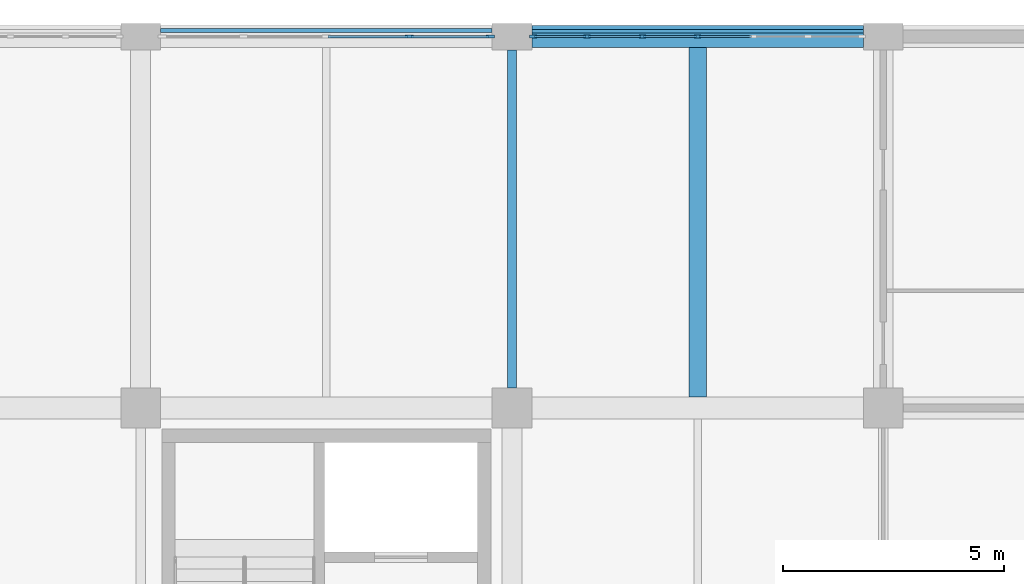
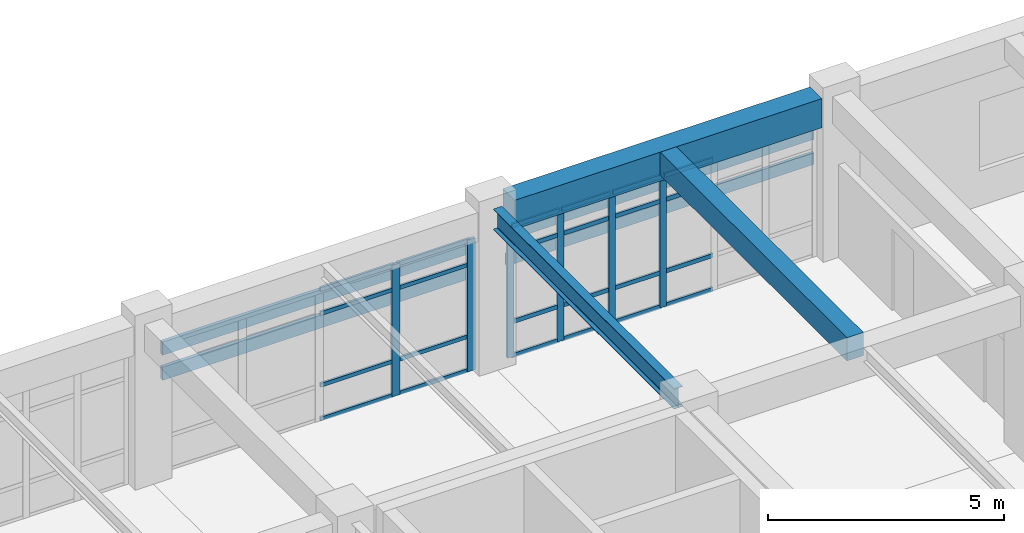
# One storey, part 32 of 99: 34 members, 3 beams, 2 elements without a shape of their own.
"""IFC4 building model written with IfcOpenShell, lengths in metres."""

import ifcopenshell
import ifcopenshell.guid

model = None  # the IFC model being written
_history = None  # IfcOwnerHistory: only IFC2X3 demands one
_inside = {}  # id of a spatial element -> (the spatial element, [elements in it])
_under = {}  # id of a project, library or spatial element -> (it, [spatial elements below it])
_declared = {}  # id of a project -> (the project, [libraries it declares])
_typed = {}  # id of a type object -> (the type object, [elements of that type])
_made_of = {}  # id of a material, layer set ... -> (it, [elements and type objects made of it])


def new_model(schema):
    """Start an empty IFC model of exactly this schema.

    Asked for "IFC4X3", IfcOpenShell would pick the latest addendum, in which some entities
    have other attributes; the version numbers below select the first issue.
    IFC2X3 requires an IfcOwnerHistory on every rooted entity: one is made here for all.
    """
    global model, _history
    if schema == "IFC4X3":
        model = ifcopenshell.file(schema_version=(4, 3, 0, 0))
    else:
        model = ifcopenshell.file(schema=schema)
    _inside.clear()
    _under.clear()
    _declared.clear()
    _typed.clear()
    _made_of.clear()
    _history = None
    if model.schema == "IFC2X3":
        org = make("IfcOrganization", Name="unknown")
        user = make(
            "IfcPersonAndOrganization",
            ThePerson=make("IfcPerson", FamilyName="unknown"),
            TheOrganization=org,
        )
        app = make(
            "IfcApplication",
            ApplicationDeveloper=org,
            Version="unknown",
            ApplicationFullName="unknown",
            ApplicationIdentifier="unknown",
        )
        _history = make(
            "IfcOwnerHistory",
            OwningUser=user,
            OwningApplication=app,
            ChangeAction="ADDED",
            CreationDate=0,
        )
    return model


def make(cls, **values):
    """One entity of the class cls with the attributes given. An attribute that is None is left unset."""
    return model.create_entity(
        cls, **{name: value for name, value in values.items() if value is not None}
    )


def rooted(cls, **values):
    """An entity with a GlobalId (a new one), such as an element, a storey or a relation."""
    return make(cls, GlobalId=ifcopenshell.guid.new(), OwnerHistory=_history, **values)


def si_unit(unit_type, name, prefix=None):
    """IfcSIUnit, for example si_unit("LENGTHUNIT", "METRE", prefix="MILLI")."""
    return make("IfcSIUnit", UnitType=unit_type, Prefix=prefix, Name=name)


def assignment(units):
    """IfcUnitAssignment: the units of a project."""
    return None if units is None else make("IfcUnitAssignment", Units=units)


def point(xyz):
    """IfcCartesianPoint."""
    return None if xyz is None else make("IfcCartesianPoint", Coordinates=xyz)


def direction(xyz):
    """IfcDirection."""
    return None if xyz is None else make("IfcDirection", DirectionRatios=xyz)


def frame(location, z_axis=None, x_axis=None):
    """IfcAxis2Placement3D, a coordinate frame: its origin and axes. An axis left out is left unset."""
    return make(
        "IfcAxis2Placement3D",
        Location=point(location),
        Axis=direction(z_axis),
        RefDirection=direction(x_axis),
    )


def frame_2d(location, x_axis=None):
    """IfcAxis2Placement2D, a coordinate frame in the plane: its origin and x axis."""
    return make(
        "IfcAxis2Placement2D", Location=point(location), RefDirection=direction(x_axis)
    )


def origin():
    """The frame at (0, 0, 0) with its axes left unset."""
    return frame((0.0, 0.0, 0.0))


def origin_2d():
    """The frame at (0, 0) in the plane with its x axis left unset."""
    return frame_2d((0.0, 0.0))


def place(relative_to, where):
    """IfcLocalPlacement: puts the frame where relative to a parent placement (None: the world)."""
    return make(
        "IfcLocalPlacement", PlacementRelTo=relative_to, RelativePlacement=where
    )


def context(
    kind, dimensions, precision=None, world=None, true_north=None, identifier=None
):
    """IfcGeometricRepresentationContext, for example the 3D "Model" context."""
    return make(
        "IfcGeometricRepresentationContext",
        ContextIdentifier=identifier,
        ContextType=kind,
        CoordinateSpaceDimension=dimensions,
        Precision=precision,
        WorldCoordinateSystem=world,
        TrueNorth=true_north,
    )


def subcontext(parent, identifier, kind, view, scale=None):
    """IfcGeometricRepresentationSubContext, for example "Body" below "Model"."""
    return make(
        "IfcGeometricRepresentationSubContext",
        ContextIdentifier=identifier,
        ContextType=kind,
        ParentContext=parent,
        TargetScale=scale,
        TargetView=view,
    )


def project(units=None, contexts=None):
    """IfcProject with its units and contexts."""
    return rooted(
        "IfcProject",
        Name="project",
        RepresentationContexts=contexts,
        UnitsInContext=assignment(units),
    )


def spatial(cls, under=None, at=None, **own):
    """A site, building, storey or space (cls), placed at a placement, below another one or the project."""
    s = rooted(cls, ObjectPlacement=at, **own)
    if under is not None:
        _under.setdefault(under.id(), (under, []))[1].append(s)
    return s


def profile(cls, at=None, kind="AREA", **sizes):
    """A parametric profile (cls). Its sizes go by their IFC names, for example OverallWidth=200.0."""
    return make(cls, ProfileType=kind, Position=at, **sizes)


def rectangle(**sizes):
    """IfcRectangleProfileDef."""
    return profile("IfcRectangleProfileDef", **sizes)


def i_section(**sizes):
    """IfcIShapeProfileDef."""
    return profile("IfcIShapeProfileDef", **sizes)


def extrude(swept, where, along, depth):
    """IfcExtrudedAreaSolid: the profile swept, set in the frame where, extruded along a direction by depth."""
    return make(
        "IfcExtrudedAreaSolid",
        SweptArea=swept,
        Position=where,
        ExtrudedDirection=direction(along),
        Depth=depth,
    )


def shape(context_of_items, identifier, shape_type, items):
    """IfcShapeRepresentation: the items that make up one representation, for example the "Body"."""
    return make(
        "IfcShapeRepresentation",
        ContextOfItems=context_of_items,
        RepresentationIdentifier=identifier,
        RepresentationType=shape_type,
        Items=items,
    )


def material(Name=None, Category=None):
    """IfcMaterial."""
    return make("IfcMaterial", Name=Name, Category=Category)


def layer(
    of_material, thickness, ventilated=None, Name=None, Category=None, Priority=None
):
    """IfcMaterialLayer: one layer of a wall or slab, of a material (None: an air gap)."""
    return make(
        "IfcMaterialLayer",
        Material=of_material,
        LayerThickness=thickness,
        IsVentilated=ventilated,
        Name=Name,
        Category=Category,
        Priority=Priority,
    )


def layer_set(layers, Name=None):
    """IfcMaterialLayerSet."""
    return make("IfcMaterialLayerSet", MaterialLayers=layers, LayerSetName=Name)


def material_profile(
    of_material, cross_section, Name=None, Category=None, Priority=None
):
    """IfcMaterialProfile: a cross section and its material."""
    return make(
        "IfcMaterialProfile",
        Name=Name,
        Material=of_material,
        Profile=cross_section,
        Priority=Priority,
        Category=Category,
    )


def profile_set(profiles, Name=None, composite=None):
    """IfcMaterialProfileSet."""
    return make(
        "IfcMaterialProfileSet",
        Name=Name,
        MaterialProfiles=profiles,
        CompositeProfile=composite,
    )


def made_of(thing, what):
    """Note that an element or type object is made of a material, layer set ...; save() writes the relation."""
    if what is not None:
        _made_of.setdefault(what.id(), (what, []))[1].append(thing)
    return thing


def type_object(cls, material=None, **own):
    """A type object (cls), such as IfcWallType, which elements share."""
    return made_of(rooted(cls, **own), material)


def element(
    cls,
    number,
    at=None,
    inside=None,
    cuts=None,
    type_object=None,
    material=None,
    context=None,
    identifier="Body",
    shape_type=None,
    held_by="IfcProductDefinitionShape",
    body=None,
    shapes=None,
    **own,
):
    """One element of the class cls, such as IfcWall. Its Tag is "e" and its number.

    at: its placement. inside: the storey or other place that contains it. cuts: it is an
    opening in that element (IfcRelVoidsElement). A single representation is given by context,
    identifier, shape_type and body (its items); several are given by shapes. held_by: the class
    of the entity that holds the representations. save() writes the other relations.
    """
    e = rooted(cls, Tag="e%d" % number, ObjectPlacement=at, **own)
    if body is not None:
        shapes = [shape(context, identifier, shape_type, body)]
    if shapes is not None:
        e.Representation = make(held_by, Representations=shapes)
    if inside is not None:
        _inside.setdefault(inside.id(), (inside, []))[1].append(e)
    if cuts is not None:
        rooted(
            "IfcRelVoidsElement", RelatingBuildingElement=cuts, RelatedOpeningElement=e
        )
    if type_object is not None:
        _typed.setdefault(type_object.id(), (type_object, []))[1].append(e)
    return made_of(e, material)


def aggregate(whole, parts):
    """IfcRelAggregates: a whole, such as a stair, and the parts it consists of."""
    return rooted("IfcRelAggregates", RelatingObject=whole, RelatedObjects=parts)


def save(model, path):
    """Write the relations noted so far, then the file.

    IfcRelAggregates (storeys below a building ...), IfcRelContainedInSpatialStructure (elements
    in a storey), IfcRelDefinesByType, IfcRelAssociatesMaterial and IfcRelDeclares: one each for
    every whole, place, type object, material and project.
    """
    for whole, parts in _under.values():
        aggregate(whole, parts)
    for where, things in _inside.values():
        rooted(
            "IfcRelContainedInSpatialStructure",
            RelatedElements=things,
            RelatingStructure=where,
        )
    for kind, things in _typed.values():
        rooted("IfcRelDefinesByType", RelatedObjects=things, RelatingType=kind)
    for what, things in _made_of.values():
        rooted("IfcRelAssociatesMaterial", RelatedObjects=things, RelatingMaterial=what)
    for by, libraries in _declared.values():
        rooted("IfcRelDeclares", RelatingContext=by, RelatedDefinitions=libraries)
    model.write(path)


model = new_model("IFC4")

# Units and contexts
model_context = context("Model", 3, precision=1e-05, world=origin(), true_north=direction((0.0, 1.0)))
body_context = subcontext(model_context, "Body", "Model", "MODEL_VIEW")
ifc_project = project(units=[si_unit("LENGTHUNIT", "METRE"), si_unit("AREAUNIT", "SQUARE_METRE"), si_unit("VOLUMEUNIT", "CUBIC_METRE"), si_unit("PLANEANGLEUNIT", "RADIAN"), si_unit("MASSUNIT", "GRAM", prefix="KILO")], contexts=[model_context])

# Site, building, storey
site_placement = place(None, origin())
site = spatial("IfcSite", under=ifc_project, at=site_placement, CompositionType="ELEMENT")
building_placement = place(site_placement, origin())
building = spatial("IfcBuilding", under=site, at=building_placement, Name="Porcellanite Civic Hall", CompositionType="ELEMENT")
storey_placement = place(building_placement, frame((0.0, 0.0, 5.760009765625)))
storey = spatial("IfcBuildingStorey", under=building, at=storey_placement, Name="L01", CompositionType="ELEMENT", Elevation=5.760009765625)

# Beams
ifc_material_1 = material(Name="Concrete N50 (50 MPa)", Category="concrete")
ifc_material_profile_1 = material_profile(ifc_material_1, rectangle(XDim=0.39990234375, YDim=0.60009765625, at=origin_2d()), Name="RC-400x600")
ifc_profile_set_1 = profile_set([ifc_material_profile_1], Name="Concrete N50 (50 MPa)")
beam_type_1 = type_object("IfcBeamType", Name="BM-RC600", PredefinedType="JOIST", material=ifc_profile_set_1)
beam_1_placement = place(storey_placement, frame((63.0, 109.449462890625, 3.89990234375), z_axis=(0.0, 1.0, 0.0), x_axis=(-1.0, 0.0, 0.0)))
element("IfcBeam", 1, at=beam_1_placement, inside=storey, type_object=beam_type_1, Name="Secondary joist L01 8-14", PredefinedType="JOIST", context=body_context, shape_type="SweptSolid", body=[
    extrude(rectangle(XDim=0.39990234375, YDim=0.60009765625, at=origin_2d()), origin(), (0.0, 0.0, 1.0), 7.901123046875),
])
ifc_material_2 = material(Name="Concrete N50 (50 MPa)", Category="concrete")
ifc_material_profile_2 = material_profile(ifc_material_2, rectangle(XDim=0.5, YDim=0.75, at=origin_2d()), Name="RC-500x750")
ifc_profile_set_2 = profile_set([ifc_material_profile_2], Name="Concrete N50 (50 MPa)")
beam_type_2 = type_object("IfcBeamType", Name="BM-RC750", PredefinedType="SPANDREL", material=ifc_profile_set_2)
beam_2_placement = place(storey_placement, frame((59.24951171875, 117.60009765625, 3.824951171875), z_axis=(1.0, 0.0, 0.0), x_axis=(0.0, 1.0, 0.0)))
element("IfcBeam", 2, at=beam_2_placement, inside=storey, type_object=beam_type_2, Name="Beam X L01 8-15", PredefinedType="SPANDREL", context=body_context, shape_type="SweptSolid", body=[
    extrude(rectangle(XDim=0.5, YDim=0.75, at=origin_2d()), origin(), (0.0, 0.0, 1.0), 7.5009765625),
])

# Curtain wall, members
ifc_material_3 = material(Name="Anodised aluminium and solar laminated glass", Category="aluminium")
ifc_layer_1 = layer(ifc_material_3, 0.179931640625)
ifc_layer_set_1 = layer_set([ifc_layer_1], Name="Anodised aluminium and solar laminated glass")
curtain_wall_type_1 = type_object("IfcCurtainWallType", Name="CW-SYS04", PredefinedType="NOTDEFINED", material=ifc_layer_set_1)
curtain_wall_1_placement = place(storey_placement, origin())
curtain_wall_1 = element("IfcCurtainWall", 3, at=curtain_wall_1_placement, inside=storey, type_object=curtain_wall_type_1, Name="Curtain wall CW-085", PredefinedType="NOTDEFINED")
ifc_material_4 = material(Name="Anodised aluminium 6063-T6", Category="aluminium")
ifc_material_profile_3 = material_profile(ifc_material_4, rectangle(XDim=0.074951171875, YDim=0.18994140625, at=origin_2d()), Name="AL-75x190")
ifc_profile_set_3 = profile_set([ifc_material_profile_3], Name="Anodised aluminium 6063-T6")
member_type_1 = type_object("IfcMemberType", Name="CWM-04", PredefinedType="MULLION", material=ifc_profile_set_3)
member_1_placement = place(storey_placement, frame((56.474609375, 117.60009765625, 0.0), z_axis=(0.0, 0.0, 1.0), x_axis=(0.0, 1.0, 0.0)))
member_1 = element("IfcMember", 4, at=member_1_placement, type_object=member_type_1, Name="CW-085 mullion 4", PredefinedType="MULLION", context=body_context, shape_type="SweptSolid", body=[
    extrude(rectangle(XDim=0.074951171875, YDim=0.18994140625, at=origin_2d()), origin(), (0.0, 0.0, 1.0), 3.39990234375),
])
member_2_placement = place(storey_placement, frame((58.3115234375, 117.60009765625, 0.0), z_axis=(0.0, 0.0, 1.0), x_axis=(0.0, 1.0, 0.0)))
member_2 = element("IfcMember", 5, at=member_2_placement, type_object=member_type_1, Name="CW-085 mullion 5", PredefinedType="MULLION", context=body_context, shape_type="SweptSolid", body=[
    extrude(rectangle(XDim=0.074951171875, YDim=0.18994140625, at=origin_2d()), origin(), (0.0, 0.0, 1.0), 3.39990234375),
])

ifc_material_5 = material(Name="Anodised aluminium and solar laminated glass", Category="aluminium")
ifc_layer_2 = layer(ifc_material_5, 0.179931640625)
ifc_layer_set_2 = layer_set([ifc_layer_2], Name="Anodised aluminium and solar laminated glass")
curtain_wall_type_2 = type_object("IfcCurtainWallType", Name="CW-SYS07", PredefinedType="NOTDEFINED", material=ifc_layer_set_2)
curtain_wall_2_placement = place(storey_placement, origin())
curtain_wall_2 = element("IfcCurtainWall", 6, at=curtain_wall_2_placement, inside=storey, type_object=curtain_wall_type_2, Name="Curtain wall CW-087", PredefinedType="NOTDEFINED")
ifc_material_6 = material(Name="Anodised aluminium 6063-T6", Category="aluminium")
ifc_material_profile_4 = material_profile(ifc_material_6, rectangle(XDim=0.06005859375, YDim=0.159912109375, at=origin_2d()), Name="AL-60x160")
ifc_profile_set_4 = profile_set([ifc_material_profile_4], Name="Anodised aluminium 6063-T6")
member_type_2 = type_object("IfcMemberType", Name="CWM-07", PredefinedType="MULLION", material=ifc_profile_set_4)
member_3_placement = place(storey_placement, frame((59.281005859375, 117.60009765625, 0.0), z_axis=(0.0, 0.0, 1.0), x_axis=(0.0, 1.0, 0.0)))
member_3 = element("IfcMember", 7, at=member_3_placement, type_object=member_type_2, Name="CW-087 mullion 1", PredefinedType="MULLION", context=body_context, shape_type="SweptSolid", body=[
    extrude(rectangle(XDim=0.06005859375, YDim=0.159912109375, at=origin_2d()), origin(), (0.0, 0.0, 1.0), 3.39990234375),
])
member_4_placement = place(storey_placement, frame((60.500732421875, 117.60009765625, 0.0), z_axis=(0.0, 0.0, 1.0), x_axis=(0.0, 1.0, 0.0)))
member_4 = element("IfcMember", 8, at=member_4_placement, type_object=member_type_2, Name="CW-087 mullion 2", PredefinedType="MULLION", context=body_context, shape_type="SweptSolid", body=[
    extrude(rectangle(XDim=0.06005859375, YDim=0.159912109375, at=origin_2d()), origin(), (0.0, 0.0, 1.0), 3.39990234375),
])
member_5_placement = place(storey_placement, frame((61.750244140625, 117.60009765625, 0.0), z_axis=(0.0, 0.0, 1.0), x_axis=(0.0, 1.0, 0.0)))
member_5 = element("IfcMember", 9, at=member_5_placement, type_object=member_type_2, Name="CW-087 mullion 3", PredefinedType="MULLION", context=body_context, shape_type="SweptSolid", body=[
    extrude(rectangle(XDim=0.06005859375, YDim=0.159912109375, at=origin_2d()), origin(), (0.0, 0.0, 1.0), 3.39990234375),
])
member_6_placement = place(storey_placement, frame((63.0, 117.60009765625, 0.0), z_axis=(0.0, 0.0, 1.0), x_axis=(0.0, 1.0, 0.0)))
member_6 = element("IfcMember", 10, at=member_6_placement, type_object=member_type_2, Name="CW-087 mullion 4", PredefinedType="MULLION", context=body_context, shape_type="SweptSolid", body=[
    extrude(rectangle(XDim=0.06005859375, YDim=0.159912109375, at=origin_2d()), origin(), (0.0, 0.0, 1.0), 3.39990234375),
])

# Member
ifc_material_7 = material(Name="Anodised aluminium 6063-T6", Category="aluminium")
ifc_material_profile_5 = material_profile(ifc_material_7, rectangle(XDim=0.054931640625, YDim=0.10009765625, at=origin_2d()), Name="AL-55x100")
ifc_profile_set_5 = profile_set([ifc_material_profile_5], Name="Anodised aluminium 6063-T6")
member_type_3 = type_object("IfcMemberType", Name="CWT-05", PredefinedType="USERDEFINED", material=ifc_profile_set_5)
member_7_placement = place(storey_placement, frame((54.637451171875, 117.60009765625, 0.027587890625), z_axis=(1.0, 0.0, 0.0), x_axis=(0.0, 1.0, 0.0)))
member_7 = element("IfcMember", 11, at=member_7_placement, type_object=member_type_3, Name="CW-085 transom 3.1", ObjectType="TRANSOM", PredefinedType="USERDEFINED", context=body_context, shape_type="SweptSolid", body=[
    extrude(rectangle(XDim=0.054931640625, YDim=0.10009765625, at=origin_2d()), origin(), (0.0, 0.0, 1.0), 1.799560546875),
])

member_8_placement = place(storey_placement, frame((54.637451171875, 117.60009765625, 0.89990234375), z_axis=(1.0, 0.0, 0.0), x_axis=(0.0, 1.0, 0.0)))
member_8 = element("IfcMember", 12, at=member_8_placement, type_object=member_type_3, Name="CW-085 transom 3.2", ObjectType="TRANSOM", PredefinedType="USERDEFINED", context=body_context, shape_type="SweptSolid", body=[
    extrude(rectangle(XDim=0.054931640625, YDim=0.10009765625, at=origin_2d()), origin(), (0.0, 0.0, 1.0), 1.799560546875),
])

member_9_placement = place(storey_placement, frame((54.637451171875, 117.60009765625, 2.75), z_axis=(1.0, 0.0, 0.0), x_axis=(0.0, 1.0, 0.0)))
member_9 = element("IfcMember", 13, at=member_9_placement, type_object=member_type_3, Name="CW-085 transom 3.3", ObjectType="TRANSOM", PredefinedType="USERDEFINED", context=body_context, shape_type="SweptSolid", body=[
    extrude(rectangle(XDim=0.054931640625, YDim=0.10009765625, at=origin_2d()), origin(), (0.0, 0.0, 1.0), 1.799560546875),
])

member_10_placement = place(storey_placement, frame((54.637451171875, 117.60009765625, 3.37255859375), z_axis=(1.0, 0.0, 0.0), x_axis=(0.0, 1.0, 0.0)))
member_10 = element("IfcMember", 14, at=member_10_placement, type_object=member_type_3, Name="CW-085 transom 3.4", ObjectType="TRANSOM", PredefinedType="USERDEFINED", context=body_context, shape_type="SweptSolid", body=[
    extrude(rectangle(XDim=0.054931640625, YDim=0.10009765625, at=origin_2d()), origin(), (0.0, 0.0, 1.0), 1.799560546875),
])

member_11_placement = place(storey_placement, frame((56.511962890625, 117.60009765625, 0.027587890625), z_axis=(1.0, 0.0, 0.0), x_axis=(0.0, 1.0, 0.0)))
member_11 = element("IfcMember", 15, at=member_11_placement, type_object=member_type_3, Name="CW-085 transom 4.1", ObjectType="TRANSOM", PredefinedType="USERDEFINED", context=body_context, shape_type="SweptSolid", body=[
    extrude(rectangle(XDim=0.054931640625, YDim=0.10009765625, at=origin_2d()), origin(), (0.0, 0.0, 1.0), 1.761962890625),
])

member_12_placement = place(storey_placement, frame((56.511962890625, 117.60009765625, 0.89990234375), z_axis=(1.0, 0.0, 0.0), x_axis=(0.0, 1.0, 0.0)))
member_12 = element("IfcMember", 16, at=member_12_placement, type_object=member_type_3, Name="CW-085 transom 4.2", ObjectType="TRANSOM", PredefinedType="USERDEFINED", context=body_context, shape_type="SweptSolid", body=[
    extrude(rectangle(XDim=0.054931640625, YDim=0.10009765625, at=origin_2d()), origin(), (0.0, 0.0, 1.0), 1.761962890625),
])

member_13_placement = place(storey_placement, frame((56.511962890625, 117.60009765625, 2.75), z_axis=(1.0, 0.0, 0.0), x_axis=(0.0, 1.0, 0.0)))
member_13 = element("IfcMember", 17, at=member_13_placement, type_object=member_type_3, Name="CW-085 transom 4.3", ObjectType="TRANSOM", PredefinedType="USERDEFINED", context=body_context, shape_type="SweptSolid", body=[
    extrude(rectangle(XDim=0.054931640625, YDim=0.10009765625, at=origin_2d()), origin(), (0.0, 0.0, 1.0), 1.761962890625),
])

member_14_placement = place(storey_placement, frame((56.511962890625, 117.60009765625, 3.37255859375), z_axis=(1.0, 0.0, 0.0), x_axis=(0.0, 1.0, 0.0)))
member_14 = element("IfcMember", 18, at=member_14_placement, type_object=member_type_3, Name="CW-085 transom 4.4", ObjectType="TRANSOM", PredefinedType="USERDEFINED", context=body_context, shape_type="SweptSolid", body=[
    extrude(rectangle(XDim=0.054931640625, YDim=0.10009765625, at=origin_2d()), origin(), (0.0, 0.0, 1.0), 1.761962890625),
])

aggregate(curtain_wall_1, [member_1, member_2, member_7, member_8, member_9, member_10, member_11, member_12, member_13, member_14])

ifc_material_8 = material(Name="Anodised aluminium 6063-T6", Category="aluminium")
ifc_material_profile_6 = material_profile(ifc_material_8, rectangle(XDim=0.050048828125, YDim=0.110107421875, at=origin_2d()), Name="AL-50x110")
ifc_profile_set_6 = profile_set([ifc_material_profile_6], Name="Anodised aluminium 6063-T6")
member_type_4 = type_object("IfcMemberType", Name="CWT-07", PredefinedType="USERDEFINED", material=ifc_profile_set_6)
member_15_placement = place(storey_placement, frame((59.31103515625, 117.60009765625, 0.02490234375), z_axis=(1.0, 0.0, 0.0), x_axis=(0.0, 1.0, 0.0)))
member_15 = element("IfcMember", 19, at=member_15_placement, type_object=member_type_4, Name="CW-087 transom 1.1", ObjectType="TRANSOM", PredefinedType="USERDEFINED", context=body_context, shape_type="SweptSolid", body=[
    extrude(rectangle(XDim=0.050048828125, YDim=0.110107421875, at=origin_2d()), origin(), (0.0, 0.0, 1.0), 1.15966796875),
])

member_16_placement = place(storey_placement, frame((59.31103515625, 117.60009765625, 0.89990234375), z_axis=(1.0, 0.0, 0.0), x_axis=(0.0, 1.0, 0.0)))
member_16 = element("IfcMember", 20, at=member_16_placement, type_object=member_type_4, Name="CW-087 transom 1.2", ObjectType="TRANSOM", PredefinedType="USERDEFINED", context=body_context, shape_type="SweptSolid", body=[
    extrude(rectangle(XDim=0.050048828125, YDim=0.110107421875, at=origin_2d()), origin(), (0.0, 0.0, 1.0), 1.15966796875),
])

member_17_placement = place(storey_placement, frame((59.31103515625, 117.60009765625, 2.75), z_axis=(1.0, 0.0, 0.0), x_axis=(0.0, 1.0, 0.0)))
member_17 = element("IfcMember", 21, at=member_17_placement, type_object=member_type_4, Name="CW-087 transom 1.3", ObjectType="TRANSOM", PredefinedType="USERDEFINED", context=body_context, shape_type="SweptSolid", body=[
    extrude(rectangle(XDim=0.050048828125, YDim=0.110107421875, at=origin_2d()), origin(), (0.0, 0.0, 1.0), 1.15966796875),
])

member_18_placement = place(storey_placement, frame((59.31103515625, 117.60009765625, 3.375), z_axis=(1.0, 0.0, 0.0), x_axis=(0.0, 1.0, 0.0)))
member_18 = element("IfcMember", 22, at=member_18_placement, type_object=member_type_4, Name="CW-087 transom 1.4", ObjectType="TRANSOM", PredefinedType="USERDEFINED", context=body_context, shape_type="SweptSolid", body=[
    extrude(rectangle(XDim=0.050048828125, YDim=0.110107421875, at=origin_2d()), origin(), (0.0, 0.0, 1.0), 1.15966796875),
])

member_19_placement = place(storey_placement, frame((60.53076171875, 117.60009765625, 0.02490234375), z_axis=(1.0, 0.0, 0.0), x_axis=(0.0, 1.0, 0.0)))
member_19 = element("IfcMember", 23, at=member_19_placement, type_object=member_type_4, Name="CW-087 transom 2.1", ObjectType="TRANSOM", PredefinedType="USERDEFINED", context=body_context, shape_type="SweptSolid", body=[
    extrude(rectangle(XDim=0.050048828125, YDim=0.110107421875, at=origin_2d()), origin(), (0.0, 0.0, 1.0), 1.189453125),
])

member_20_placement = place(storey_placement, frame((60.53076171875, 117.60009765625, 0.89990234375), z_axis=(1.0, 0.0, 0.0), x_axis=(0.0, 1.0, 0.0)))
member_20 = element("IfcMember", 24, at=member_20_placement, type_object=member_type_4, Name="CW-087 transom 2.2", ObjectType="TRANSOM", PredefinedType="USERDEFINED", context=body_context, shape_type="SweptSolid", body=[
    extrude(rectangle(XDim=0.050048828125, YDim=0.110107421875, at=origin_2d()), origin(), (0.0, 0.0, 1.0), 1.189453125),
])

member_21_placement = place(storey_placement, frame((60.53076171875, 117.60009765625, 2.75), z_axis=(1.0, 0.0, 0.0), x_axis=(0.0, 1.0, 0.0)))
member_21 = element("IfcMember", 25, at=member_21_placement, type_object=member_type_4, Name="CW-087 transom 2.3", ObjectType="TRANSOM", PredefinedType="USERDEFINED", context=body_context, shape_type="SweptSolid", body=[
    extrude(rectangle(XDim=0.050048828125, YDim=0.110107421875, at=origin_2d()), origin(), (0.0, 0.0, 1.0), 1.189453125),
])

member_22_placement = place(storey_placement, frame((60.53076171875, 117.60009765625, 3.375), z_axis=(1.0, 0.0, 0.0), x_axis=(0.0, 1.0, 0.0)))
member_22 = element("IfcMember", 26, at=member_22_placement, type_object=member_type_4, Name="CW-087 transom 2.4", ObjectType="TRANSOM", PredefinedType="USERDEFINED", context=body_context, shape_type="SweptSolid", body=[
    extrude(rectangle(XDim=0.050048828125, YDim=0.110107421875, at=origin_2d()), origin(), (0.0, 0.0, 1.0), 1.189453125),
])

member_23_placement = place(storey_placement, frame((61.7802734375, 117.60009765625, 0.02490234375), z_axis=(1.0, 0.0, 0.0), x_axis=(0.0, 1.0, 0.0)))
member_23 = element("IfcMember", 27, at=member_23_placement, type_object=member_type_4, Name="CW-087 transom 3.1", ObjectType="TRANSOM", PredefinedType="USERDEFINED", context=body_context, shape_type="SweptSolid", body=[
    extrude(rectangle(XDim=0.050048828125, YDim=0.110107421875, at=origin_2d()), origin(), (0.0, 0.0, 1.0), 1.189697265625),
])

member_24_placement = place(storey_placement, frame((61.7802734375, 117.60009765625, 0.89990234375), z_axis=(1.0, 0.0, 0.0), x_axis=(0.0, 1.0, 0.0)))
member_24 = element("IfcMember", 28, at=member_24_placement, type_object=member_type_4, Name="CW-087 transom 3.2", ObjectType="TRANSOM", PredefinedType="USERDEFINED", context=body_context, shape_type="SweptSolid", body=[
    extrude(rectangle(XDim=0.050048828125, YDim=0.110107421875, at=origin_2d()), origin(), (0.0, 0.0, 1.0), 1.189697265625),
])

member_25_placement = place(storey_placement, frame((61.7802734375, 117.60009765625, 2.75), z_axis=(1.0, 0.0, 0.0), x_axis=(0.0, 1.0, 0.0)))
member_25 = element("IfcMember", 29, at=member_25_placement, type_object=member_type_4, Name="CW-087 transom 3.3", ObjectType="TRANSOM", PredefinedType="USERDEFINED", context=body_context, shape_type="SweptSolid", body=[
    extrude(rectangle(XDim=0.050048828125, YDim=0.110107421875, at=origin_2d()), origin(), (0.0, 0.0, 1.0), 1.189697265625),
])

member_26_placement = place(storey_placement, frame((61.7802734375, 117.60009765625, 3.375), z_axis=(1.0, 0.0, 0.0), x_axis=(0.0, 1.0, 0.0)))
member_26 = element("IfcMember", 30, at=member_26_placement, type_object=member_type_4, Name="CW-087 transom 3.4", ObjectType="TRANSOM", PredefinedType="USERDEFINED", context=body_context, shape_type="SweptSolid", body=[
    extrude(rectangle(XDim=0.050048828125, YDim=0.110107421875, at=origin_2d()), origin(), (0.0, 0.0, 1.0), 1.189697265625),
])

member_27_placement = place(storey_placement, frame((63.030029296875, 117.60009765625, 0.02490234375), z_axis=(1.0, 0.0, 0.0), x_axis=(0.0, 1.0, 0.0)))
member_27 = element("IfcMember", 31, at=member_27_placement, type_object=member_type_4, Name="CW-087 transom 4.1", ObjectType="TRANSOM", PredefinedType="USERDEFINED", context=body_context, shape_type="SweptSolid", body=[
    extrude(rectangle(XDim=0.050048828125, YDim=0.110107421875, at=origin_2d()), origin(), (0.0, 0.0, 1.0), 1.189697265625),
])

member_28_placement = place(storey_placement, frame((63.030029296875, 117.60009765625, 0.89990234375), z_axis=(1.0, 0.0, 0.0), x_axis=(0.0, 1.0, 0.0)))
member_28 = element("IfcMember", 32, at=member_28_placement, type_object=member_type_4, Name="CW-087 transom 4.2", ObjectType="TRANSOM", PredefinedType="USERDEFINED", context=body_context, shape_type="SweptSolid", body=[
    extrude(rectangle(XDim=0.050048828125, YDim=0.110107421875, at=origin_2d()), origin(), (0.0, 0.0, 1.0), 1.189697265625),
])

member_29_placement = place(storey_placement, frame((63.030029296875, 117.60009765625, 2.75), z_axis=(1.0, 0.0, 0.0), x_axis=(0.0, 1.0, 0.0)))
member_29 = element("IfcMember", 33, at=member_29_placement, type_object=member_type_4, Name="CW-087 transom 4.3", ObjectType="TRANSOM", PredefinedType="USERDEFINED", context=body_context, shape_type="SweptSolid", body=[
    extrude(rectangle(XDim=0.050048828125, YDim=0.110107421875, at=origin_2d()), origin(), (0.0, 0.0, 1.0), 1.189697265625),
])

member_30_placement = place(storey_placement, frame((63.030029296875, 117.60009765625, 3.375), z_axis=(1.0, 0.0, 0.0), x_axis=(0.0, 1.0, 0.0)))
member_30 = element("IfcMember", 34, at=member_30_placement, type_object=member_type_4, Name="CW-087 transom 4.4", ObjectType="TRANSOM", PredefinedType="USERDEFINED", context=body_context, shape_type="SweptSolid", body=[
    extrude(rectangle(XDim=0.050048828125, YDim=0.110107421875, at=origin_2d()), origin(), (0.0, 0.0, 1.0), 1.189697265625),
])

aggregate(curtain_wall_2, [member_3, member_4, member_5, member_6, member_15, member_16, member_17, member_18, member_19, member_20, member_21, member_22, member_23, member_24, member_25, member_26, member_27, member_28, member_29, member_30])

# Members
ifc_material_9 = material(Name="Fluoropolymer bauxite-red aluminium 6063-T6", Category="aluminium")
ifc_material_profile_7 = material_profile(ifc_material_9, rectangle(XDim=0.0849609375, YDim=0.340087890625, at=origin_2d()), Name="AL-85x340")
ifc_profile_set_7 = profile_set([ifc_material_profile_7], Name="Fluoropolymer bauxite-red aluminium 6063-T6")
member_type_5 = type_object("IfcMemberType", Name="LV-BLD02", PredefinedType="USERDEFINED", material=ifc_profile_set_7)
for number, where, z_axis, x_axis, name in (
    (35, (50.849609375, 117.739501953125, 3.10009765625), (1.0, 0.0, 0.0), (0.0, 1.0, 0.0), "Cyclone sunshade louvre L01 N 6-13 1"),
    (36, (50.849609375, 117.739501953125, 2.449951171875), (1.0, 0.0, 0.0), (0.0, 1.0, 0.0), "Cyclone sunshade louvre L01 N 6-13 2"),
):
    element("IfcMember", number, at=place(storey_placement, frame(where, z_axis=z_axis, x_axis=x_axis)), inside=storey, type_object=member_type_5, Name=name, ObjectType="LOUVRE BLADE", PredefinedType="USERDEFINED", context=body_context, shape_type="SweptSolid", body=[
        extrude(rectangle(XDim=0.0849609375, YDim=0.340087890625, at=origin_2d()), origin(), (0.0, 0.0, 1.0), 7.5009765625),
    ])
ifc_material_10 = material(Name="Fluoropolymer bauxite-red aluminium 6063-T6", Category="aluminium")
ifc_material_profile_8 = material_profile(ifc_material_10, rectangle(XDim=0.074951171875, YDim=0.300048828125, at=origin_2d()), Name="AL-75x300")
ifc_profile_set_8 = profile_set([ifc_material_profile_8], Name="Fluoropolymer bauxite-red aluminium 6063-T6")
member_type_6 = type_object("IfcMemberType", Name="LV-BLD04", PredefinedType="USERDEFINED", material=ifc_profile_set_8)
for number, where, z_axis, x_axis, name in (
    (37, (59.24951171875, 117.719482421875, 3.10009765625), (1.0, 0.0, 0.0), (0.0, 1.0, 0.0), "Cyclone sunshade louvre L01 N 7-13 1"),
    (38, (59.24951171875, 117.719482421875, 2.449951171875), (1.0, 0.0, 0.0), (0.0, 1.0, 0.0), "Cyclone sunshade louvre L01 N 7-13 2"),
):
    element("IfcMember", number, at=place(storey_placement, frame(where, z_axis=z_axis, x_axis=x_axis)), inside=storey, type_object=member_type_6, Name=name, ObjectType="LOUVRE BLADE", PredefinedType="USERDEFINED", context=body_context, shape_type="SweptSolid", body=[
        extrude(rectangle(XDim=0.074951171875, YDim=0.300048828125, at=origin_2d()), origin(), (0.0, 0.0, 1.0), 7.5009765625),
    ])

# Beam
ifc_material_11 = material(Name="Steel Grade 350", Category="steel")
ifc_material_profile_9 = material_profile(ifc_material_11, i_section(OverallWidth=0.208984375, OverallDepth=0.528076171875, WebThickness=0.009521484375, FlangeThickness=0.01318359375, FilletRadius=0.013916015625, at=origin_2d()), Name="530UB82.0")
ifc_profile_set_9 = profile_set([ifc_material_profile_9], Name="Steel Grade 350")
beam_type_3 = type_object("IfcBeamType", Name="RAF-530UB82", PredefinedType="BEAM", material=ifc_profile_set_9)
beam_3_placement = place(storey_placement, frame((58.800048828125, 109.6494140625, 3.93603515625), z_axis=(0.0, 1.0, 0.0), x_axis=(-1.0, 0.0, 0.0)))
element("IfcBeam", 39, at=beam_3_placement, inside=storey, type_object=beam_type_3, Name="Beam Y L01 8-14", PredefinedType="BEAM", context=body_context, shape_type="SweptSolid", body=[
    extrude(i_section(OverallWidth=0.208984375, OverallDepth=0.528076171875, WebThickness=0.009521484375, FlangeThickness=0.01318359375, FilletRadius=0.013916015625, at=origin_2d()), origin(), (0.0, 0.0, 1.0), 7.651123046875),
])

save(model, "model.ifc")
